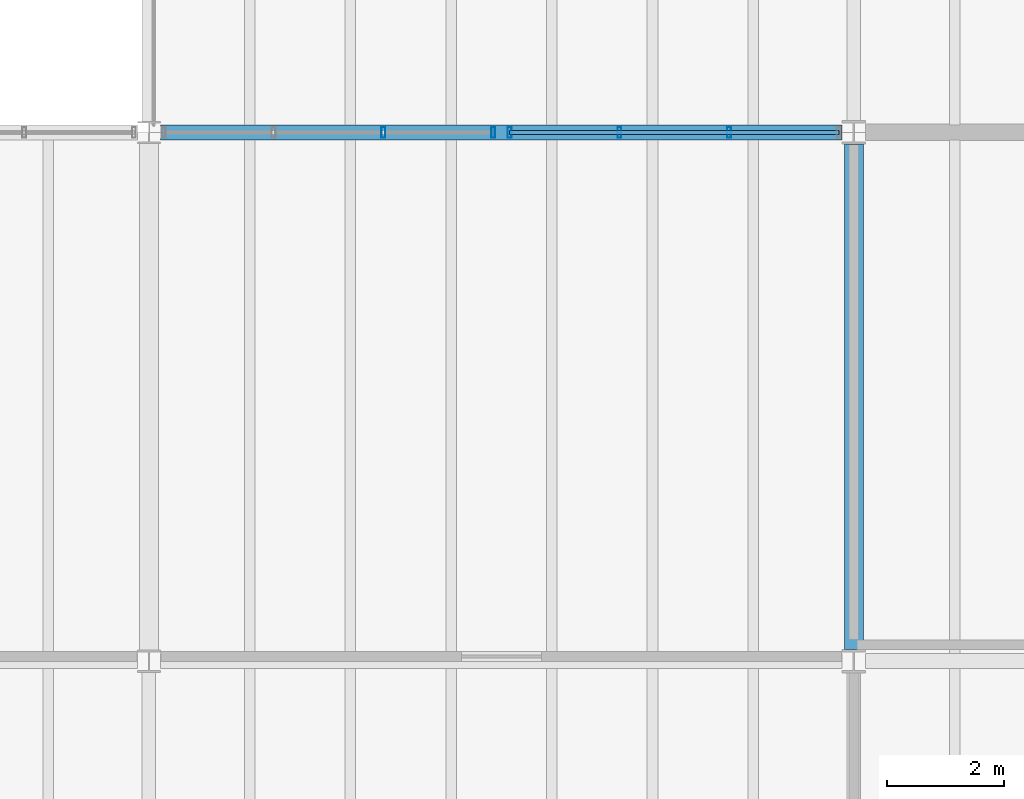
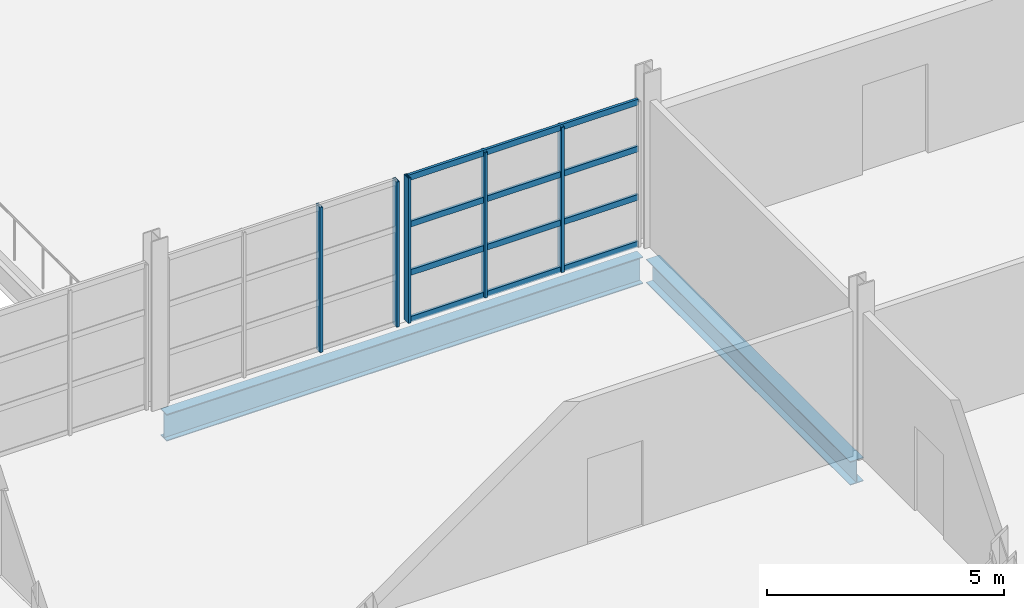
# One storey, part 33 of 78: 9 members, 2 beams, 2 elements without a shape of their own.
"""IFC4 building model written with IfcOpenShell, lengths in metres."""

from ifc_helpers import new_model, si_unit, direction, frame, origin, origin_2d, place, context, subcontext, project, spatial, hollow_rectangle, i_section, extrude, material, material_profile, profile_set, type_object, element, aggregate, save


model = new_model("IFC4")

# Units and contexts
model_context = context("Model", 3, precision=1e-05, world=origin(), true_north=direction((0.0, 1.0)))
body_context = subcontext(model_context, "Body", "Model", "MODEL_VIEW")
ifc_project = project(units=[si_unit("LENGTHUNIT", "METRE"), si_unit("AREAUNIT", "SQUARE_METRE"), si_unit("VOLUMEUNIT", "CUBIC_METRE"), si_unit("PLANEANGLEUNIT", "RADIAN"), si_unit("MASSUNIT", "GRAM", prefix="KILO")], contexts=[model_context])

# Site, building, storey
site_placement = place(None, origin())
site = spatial("IfcSite", under=ifc_project, at=site_placement, CompositionType="ELEMENT")
building_placement = place(site_placement, origin())
building = spatial("IfcBuilding", under=site, at=building_placement, Name="Kelmvaro Bay Concert Hall", CompositionType="ELEMENT")
storey_placement = place(building_placement, frame((0.0, 0.0, 9.300048828125)))
storey = spatial("IfcBuildingStorey", under=building, at=storey_placement, Name="L02", CompositionType="ELEMENT", Elevation=9.300048828125)

# Curtain wall, members
ifc_material_1 = material(Name="Anodised Aluminium and Low-E Insulated Glazing", Category="aluminium")
curtain_wall_type = type_object("IfcCurtainWallType", Name="Upper Salon Waterfront Curtain Wall 4050", PredefinedType="USERDEFINED", material=ifc_material_1)
curtain_wall_1_placement = place(storey_placement, origin())
curtain_wall_1 = element("IfcCurtainWall", 1, at=curtain_wall_1_placement, inside=storey, type_object=curtain_wall_type, Name="Unitised Curtain Wall CW-L02-097", ObjectType="UNITISED GLAZING", PredefinedType="USERDEFINED")
ifc_material_2 = material(Name="Anodised Extruded Aluminium 6063-T6", Category="aluminium")
ifc_material_profile_1 = material_profile(ifc_material_2, hollow_rectangle(XDim=0.06494140625, YDim=0.179931640625, WallThickness=0.00390625, at=origin_2d()), Name="ALU-MUL-180X65")
ifc_profile_set_1 = profile_set([ifc_material_profile_1], Name="Anodised Extruded Aluminium 6063-T6")
member_type_1 = type_object("IfcMemberType", Name="Curtain Mullion ALU 180x65", PredefinedType="MULLION", material=ifc_profile_set_1)
member_1_placement = place(storey_placement, frame((111.990966796875, 39.0, 0.0), z_axis=(0.0, 0.0, 1.0), x_axis=(1.0, 0.0, 0.0)))
member_1 = element("IfcMember", 2, at=member_1_placement, type_object=member_type_1, Name="CW-L02-097 Mullion 03", PredefinedType="MULLION", context=body_context, shape_type="SweptSolid", body=[
    extrude(hollow_rectangle(XDim=0.06494140625, YDim=0.179931640625, WallThickness=0.00390625, at=origin_2d()), origin(), (0.0, 0.0, 1.0), 3.739013671875),
])
member_2_placement = place(storey_placement, frame((113.860107421875, 39.0, 0.0), z_axis=(0.0, 0.0, 1.0), x_axis=(1.0, 0.0, 0.0)))
member_2 = element("IfcMember", 3, at=member_2_placement, type_object=member_type_1, Name="CW-L02-097 Mullion 04", PredefinedType="MULLION", context=body_context, shape_type="SweptSolid", body=[
    extrude(hollow_rectangle(XDim=0.06494140625, YDim=0.179931640625, WallThickness=0.00390625, at=origin_2d()), origin(), (0.0, 0.0, 1.0), 3.739013671875),
])
aggregate(curtain_wall_1, [member_1, member_2])

curtain_wall_2_placement = place(storey_placement, origin())
curtain_wall_2 = element("IfcCurtainWall", 4, at=curtain_wall_2_placement, inside=storey, type_object=curtain_wall_type, Name="Unitised Curtain Wall CW-L02-098", ObjectType="UNITISED GLAZING", PredefinedType="USERDEFINED")
member_3_placement = place(storey_placement, frame((114.139892578125, 39.0, 0.0), z_axis=(0.0, 0.0, 1.0), x_axis=(1.0, 0.0, 0.0)))
member_3 = element("IfcMember", 5, at=member_3_placement, type_object=member_type_1, Name="CW-L02-098 Mullion 01", PredefinedType="MULLION", context=body_context, shape_type="SweptSolid", body=[
    extrude(hollow_rectangle(XDim=0.06494140625, YDim=0.179931640625, WallThickness=0.00390625, at=origin_2d()), origin(), (0.0, 0.0, 1.0), 3.739013671875),
])
member_4_placement = place(storey_placement, frame((116.00830078125, 39.0, 0.0), z_axis=(0.0, 0.0, 1.0), x_axis=(1.0, 0.0, 0.0)))
member_4 = element("IfcMember", 6, at=member_4_placement, type_object=member_type_1, Name="CW-L02-098 Mullion 02", PredefinedType="MULLION", context=body_context, shape_type="SweptSolid", body=[
    extrude(hollow_rectangle(XDim=0.06494140625, YDim=0.179931640625, WallThickness=0.00390625, at=origin_2d()), origin(), (0.0, 0.0, 1.0), 3.739013671875),
])
member_5_placement = place(storey_placement, frame((117.876220703125, 39.0, 0.0), z_axis=(0.0, 0.0, 1.0), x_axis=(1.0, 0.0, 0.0)))
member_5 = element("IfcMember", 7, at=member_5_placement, type_object=member_type_1, Name="CW-L02-098 Mullion 03", PredefinedType="MULLION", context=body_context, shape_type="SweptSolid", body=[
    extrude(hollow_rectangle(XDim=0.06494140625, YDim=0.179931640625, WallThickness=0.00390625, at=origin_2d()), origin(), (0.0, 0.0, 1.0), 3.739013671875),
])
ifc_material_3 = material(Name="Anodised Extruded Aluminium 6063-T6", Category="aluminium")
ifc_material_profile_2 = material_profile(ifc_material_3, hollow_rectangle(XDim=0.06494140625, YDim=0.14990234375, WallThickness=0.00390625, at=origin_2d()), Name="ALU-TRN-150X65")
ifc_profile_set_2 = profile_set([ifc_material_profile_2], Name="Anodised Extruded Aluminium 6063-T6")
member_type_2 = type_object("IfcMemberType", Name="Curtain Transom ALU 150x65", PredefinedType="USERDEFINED", material=ifc_profile_set_2)
member_6_placement = place(storey_placement, frame((114.139892578125, 39.0, 0.0400390625), z_axis=(1.0, 0.0, 0.0), x_axis=(0.0, 1.0, 0.0)))
member_6 = element("IfcMember", 8, at=member_6_placement, type_object=member_type_2, Name="CW-L02-098 Transom 01", ObjectType="TRANSOM", PredefinedType="USERDEFINED", context=body_context, shape_type="SweptSolid", body=[
    extrude(hollow_rectangle(XDim=0.06494140625, YDim=0.14990234375, WallThickness=0.00390625, at=origin_2d()), origin(), (0.0, 0.0, 1.0), 5.6044921875),
])
member_7_placement = place(storey_placement, frame((114.139892578125, 39.0, 1.246337890625), z_axis=(1.0, 0.0, 0.0), x_axis=(0.0, 1.0, 0.0)))
member_7 = element("IfcMember", 9, at=member_7_placement, type_object=member_type_2, Name="CW-L02-098 Transom 02", ObjectType="TRANSOM", PredefinedType="USERDEFINED", context=body_context, shape_type="SweptSolid", body=[
    extrude(hollow_rectangle(XDim=0.06494140625, YDim=0.14990234375, WallThickness=0.00390625, at=origin_2d()), origin(), (0.0, 0.0, 1.0), 5.6044921875),
])
member_8_placement = place(storey_placement, frame((114.139892578125, 39.0, 2.49267578125), z_axis=(1.0, 0.0, 0.0), x_axis=(0.0, 1.0, 0.0)))
member_8 = element("IfcMember", 10, at=member_8_placement, type_object=member_type_2, Name="CW-L02-098 Transom 03", ObjectType="TRANSOM", PredefinedType="USERDEFINED", context=body_context, shape_type="SweptSolid", body=[
    extrude(hollow_rectangle(XDim=0.06494140625, YDim=0.14990234375, WallThickness=0.00390625, at=origin_2d()), origin(), (0.0, 0.0, 1.0), 5.6044921875),
])
member_9_placement = place(storey_placement, frame((114.139892578125, 39.0, 3.698974609375), z_axis=(1.0, 0.0, 0.0), x_axis=(0.0, 1.0, 0.0)))
member_9 = element("IfcMember", 11, at=member_9_placement, type_object=member_type_2, Name="CW-L02-098 Transom 04", ObjectType="TRANSOM", PredefinedType="USERDEFINED", context=body_context, shape_type="SweptSolid", body=[
    extrude(hollow_rectangle(XDim=0.06494140625, YDim=0.14990234375, WallThickness=0.00390625, at=origin_2d()), origin(), (0.0, 0.0, 1.0), 5.6044921875),
])
aggregate(curtain_wall_2, [member_3, member_4, member_5, member_6, member_7, member_8, member_9])

# Beams
ifc_material_4 = material(Name="Steel ASTM A992 Grade 50", Category="steel")
ifc_material_profile_3 = material_profile(ifc_material_4, i_section(OverallWidth=0.323974609375, OverallDepth=0.611083984375, WebThickness=0.0126953125, FlangeThickness=0.01904296875, at=origin_2d()), Name="W24X104")
ifc_profile_set_3 = profile_set([ifc_material_profile_3], Name="Steel ASTM A992 Grade 50")
beam_type_1 = type_object("IfcBeamType", Name="Foyer Frame Girder W24x104", PredefinedType="BEAM", material=ifc_profile_set_3)
beam_1_placement = place(storey_placement, frame((120.0, 30.197021484375, -0.58544921875), z_axis=(0.0, 1.0, 0.0), x_axis=(-1.0, 0.0, 0.0)))
element("IfcBeam", 12, at=beam_1_placement, inside=storey, type_object=beam_type_1, Name="L02 Girder BM-L02-NS-0859", PredefinedType="BEAM", context=body_context, shape_type="SweptSolid", body=[
    extrude(i_section(OverallWidth=0.323974609375, OverallDepth=0.611083984375, WebThickness=0.0126953125, FlangeThickness=0.01904296875, at=origin_2d()), origin(), (0.0, 0.0, 1.0), 8.603515625),
])
ifc_material_5 = material(Name="Steel ASTM A992 Grade 50", Category="steel")
ifc_material_profile_4 = material_profile(ifc_material_5, i_section(OverallWidth=0.256103515625, OverallDepth=0.693115234375, WebThickness=0.014404296875, FlangeThickness=0.023681640625, at=origin_2d()), Name="W27X114")
ifc_profile_set_4 = profile_set([ifc_material_profile_4], Name="Steel ASTM A992 Grade 50")
beam_type_2 = type_object("IfcBeamType", Name="Foyer Primary Girder W27x114", PredefinedType="BEAM", material=ifc_profile_set_4)
beam_2_placement = place(storey_placement, frame((108.197998046875, 39.0, -0.596435546875), z_axis=(1.0, 0.0, 0.0), x_axis=(0.0, 1.0, 0.0)))
element("IfcBeam", 13, at=beam_2_placement, inside=storey, type_object=beam_type_2, Name="L02 Girder BM-L02-EW-0730", PredefinedType="BEAM", context=body_context, shape_type="SweptSolid", body=[
    extrude(i_section(OverallWidth=0.256103515625, OverallDepth=0.693115234375, WebThickness=0.014404296875, FlangeThickness=0.023681640625, at=origin_2d()), origin(), (0.0, 0.0, 1.0), 11.6015625),
])

save(model, "model.ifc")
